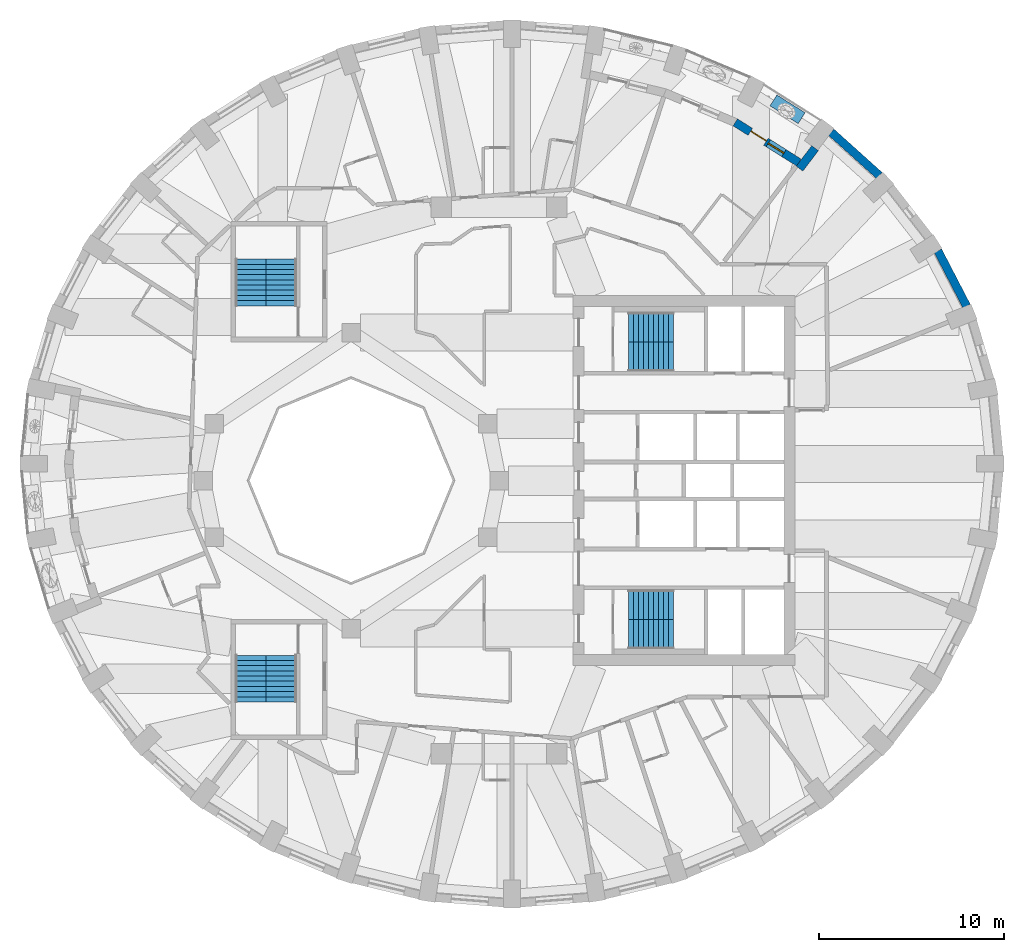
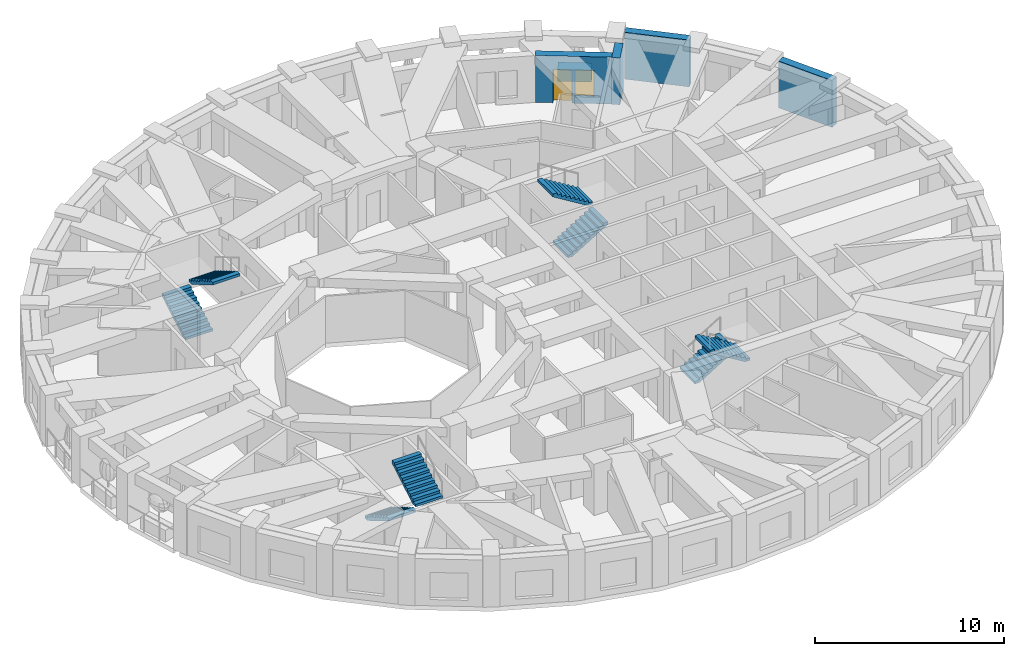
# One storey, part 9 of 12: 8 stair flights, 5 walls, 1 door, 1 window, 2 openings, 4 elements without a shape of their own.
"""IFC4 building model written with IfcOpenShell, lengths in metres."""

from ifc_helpers import new_model, si_unit, direction, frame, frame_2d, origin, place, context, subcontext, project, spatial, polyline, rectangle, outline, extrude, material, layer, layer_set, constituent, constituent_set, type_object, element, fill, aggregate, save


model = new_model("IFC4")

# Units and contexts
model_context = context("Model", 3, precision=1e-05, world=origin(), true_north=direction((0.0, 1.0)))
body_context = subcontext(model_context, "Body", "Model", "MODEL_VIEW")
ifc_project = project(units=[si_unit("LENGTHUNIT", "METRE"), si_unit("AREAUNIT", "SQUARE_METRE"), si_unit("VOLUMEUNIT", "CUBIC_METRE"), si_unit("PLANEANGLEUNIT", "RADIAN"), si_unit("MASSUNIT", "GRAM", prefix="KILO")], contexts=[model_context])

# Site, building, storey
site_placement = place(None, origin())
site = spatial("IfcSite", under=ifc_project, at=site_placement, CompositionType="ELEMENT")
building_placement = place(site_placement, origin())
building = spatial("IfcBuilding", under=site, at=building_placement, Name="Taillehof Tower", CompositionType="ELEMENT")
storey_placement = place(building_placement, frame((0.0, 0.0, 189.199951171875)))
storey = spatial("IfcBuildingStorey", under=building, at=storey_placement, Name="L53", CompositionType="ELEMENT", Elevation=189.199951171875)

# Walls
ifc_material_1 = material(Name="Brick masonry", Category="masonry")
ifc_layer = layer(ifc_material_1, 0.449951171875)
ifc_layer_set = layer_set([ifc_layer], Name="Brick infill wall 450")
wall_type_1 = type_object("IfcWallType", Name="Brick infill wall 450", PredefinedType="SOLIDWALL", material=ifc_layer_set)
wall_1_placement = place(storey_placement, frame((25.278076171875, 9.431640625, 0.0), z_axis=(0.0, 0.0, 1.0), x_axis=(-0.460175500475, 0.887827972505, 0.0)))
element("IfcWall", 1, at=wall_1_placement, inside=storey, type_object=wall_type_1, Name="Brick wall L53 bay 3", PredefinedType="SOLIDWALL", context=body_context, shape_type="SweptSolid", body=[
    extrude(rectangle(XDim=3.37060546875, YDim=0.449951171875, at=frame_2d((1.685302734375, 0.0))), origin(), (0.0, 0.0, 1.0), 3.02001953125),
])
wall_2_placement = place(storey_placement, frame((20.56494140625, 16.490478515625, 0.0), z_axis=(0.0, 0.0, 1.0), x_axis=(-0.743442727602, 0.668799604348, 0.0)))
element("IfcWall", 2, at=wall_2_placement, inside=storey, type_object=wall_type_1, Name="Brick wall L53 bay 5", PredefinedType="SOLIDWALL", context=body_context, shape_type="SweptSolid", body=[
    extrude(rectangle(XDim=3.5126953125, YDim=0.449951171875, at=frame_2d((1.75634765625, 0.0))), origin(), (0.0, 0.0, 1.0), 3.02001953125),
])
wall_3_placement = place(storey_placement, frame((17.084716796875, 17.969970703125, 0.0), z_axis=(0.0, 0.0, 1.0), x_axis=(-0.603644757989, -0.797253414011, 0.0)))
element("IfcWall", 3, at=wall_3_placement, inside=storey, type_object=wall_type_1, Name="Brick reveal L53 pocket 1", PredefinedType="SOLIDWALL", context=body_context, shape_type="SweptSolid", body=[
    extrude(rectangle(XDim=1.390869140625, YDim=0.449951171875, at=frame_2d((0.6953125, 0.0))), origin(), (0.0, 0.0, 1.0), 3.02001953125),
])

# Wall, openings, door, window
wall_4_placement = place(storey_placement, frame((16.213134765625, 17.191650390625, 0.0), z_axis=(0.0, 0.0, 1.0), x_axis=(-0.84545185308, 0.534051649303, 0.0)))
wall_4 = element("IfcWall", 4, at=wall_4_placement, inside=storey, type_object=wall_type_1, Name="Brick wall L53 pocket bay 6", PredefinedType="SOLIDWALL", context=body_context, shape_type="SweptSolid", body=[
    extrude(rectangle(XDim=4.0712890625, YDim=0.449951171875, at=frame_2d((2.03564453125, 0.0))), origin(), (0.0, 0.0, 1.0), 3.02001953125),
])
opening_1_placement = place(wall_4_placement, frame((0.960693359375, 0.0, 0.39990234375)))
opening_1 = element("IfcOpeningElement", 5, at=opening_1_placement, cuts=wall_4, Name="Opening W5", PredefinedType="OPENING", context=body_context, shape_type="SweptSolid", body=[
    extrude(rectangle(XDim=1.0, YDim=1.75, at=frame_2d((0.5, 0.875))), frame((0.0, 0.23486328125, 0.0), z_axis=(0.0, -1.0, 0.0), x_axis=(1.0, 0.0, 0.0)), (0.0, 0.0, 1.0), 0.469970703125),
])
opening_2_placement = place(wall_4_placement, frame((2.110595703125, 0.0, 0.0)))
opening_2 = element("IfcOpeningElement", 6, at=opening_2_placement, cuts=wall_4, Name="Opening D5391", PredefinedType="OPENING", context=body_context, shape_type="SweptSolid", body=[
    extrude(rectangle(XDim=1.0, YDim=2.14990234375, at=frame_2d((0.5, 1.074951171875))), frame((0.0, 0.23486328125, 0.0), z_axis=(0.0, -1.0, 0.0), x_axis=(1.0, 0.0, 0.0)), (0.0, 0.0, 1.0), 0.469970703125),
])
ifc_material_2 = material(Name="Aluminium door frame with clear double glazing", Category="aluminium")
door_type = type_object("IfcDoorType", Name="Balcony door 1000x2150", OperationType="SINGLE_SWING_RIGHT", PredefinedType="DOOR", material=ifc_material_2)
door_placement = place(opening_2_placement, frame((1.0, 0.0, 0.0), z_axis=(0.0, 0.0, 1.0), x_axis=(-1.0, 0.0, 0.0)))
door = element("IfcDoor", 7, at=door_placement, inside=storey, type_object=door_type, Name="Balcony door L53 bay 6", OperationType="SINGLE_SWING_RIGHT", OverallHeight=2.14990234375, OverallWidth=1.0, PredefinedType="DOOR", context=body_context, shape_type="SweptSolid", body=[
    extrude(rectangle(XDim=1.0, YDim=2.14990234375, at=frame_2d((0.5, 1.074951171875))), frame((0.0, 0.0751953125, 0.0), z_axis=(0.0, -1.0, 0.0), x_axis=(1.0, 0.0, 0.0)), (0.0, 0.0, 1.0), 0.050048828125),
])
fill(opening_2, door)
ifc_material_3 = material(Name="Aluminium window frame with clear double glazing", Category="aluminium")
window_type = type_object("IfcWindowType", Name="Fixed window 1000x1750", PartitioningType="SINGLE_PANEL", PredefinedType="WINDOW", material=ifc_material_3)
window_placement = place(opening_1_placement, origin())
window = element("IfcWindow", 8, at=window_placement, inside=storey, type_object=window_type, Name="W5", OverallHeight=1.75, OverallWidth=1.0, PartitioningType="SINGLE_PANEL", PredefinedType="WINDOW", context=body_context, shape_type="SweptSolid", body=[
    extrude(rectangle(XDim=1.0, YDim=1.75, at=frame_2d((0.5, 0.875))), frame((0.0, 0.034912109375, 0.0), z_axis=(0.0, -1.0, 0.0), x_axis=(1.0, 0.0, 0.0)), (0.0, 0.0, 1.0), 0.06005859375),
])
fill(opening_1, window)

# Wall
ifc_material_4 = material(Name="Concrete C30/37 precast", Category="concrete")
ifc_constituent_1 = constituent(ifc_material_4, Name="Structure", Category="concrete")
ifc_material_5 = material(Name="Insulated lining")
ifc_constituent_2 = constituent(ifc_material_5, Name="Lining")
ifc_constituent_set = constituent_set(constituents=[ifc_constituent_1, ifc_constituent_2], Name="Planter trough 700x750")
wall_type_2 = type_object("IfcWallType", Name="Planter trough 700x750", PredefinedType="USERDEFINED", material=ifc_constituent_set)
wall_5_placement = place(storey_placement, frame((16.359619140625, 19.59326171875, 0.0), z_axis=(0.0, 0.0, 1.0), x_axis=(-0.846149017978, 0.532946375703, 0.0)))
element("IfcWall", 9, at=wall_5_placement, inside=storey, type_object=wall_type_2, Name="Planter L53 bay 6", ObjectType="PLANTER", PredefinedType="USERDEFINED", context=body_context, shape_type="SweptSolid", body=[
    extrude(rectangle(XDim=1.7998046875, YDim=0.699951171875, at=frame_2d((0.89990234375, 0.0))), origin(), (0.0, 0.0, 1.0), 0.75),
])

# Stair, stair flights
ifc_material_6 = material(Name="Concrete C40/50", Category="concrete")
stair_type = type_object("IfcStairType", Name="Exit stair half-turn", PredefinedType="HALF_TURN_STAIR", material=ifc_material_6)
stair_1_placement = place(storey_placement, origin())
stair_1 = element("IfcStair", 10, at=stair_1_placement, inside=storey, type_object=stair_type, Name="Exit stair S1", PredefinedType="HALF_TURN_STAIR")
ifc_material_7 = material(Name="Concrete C40/50", Category="concrete")
stair_flight_type_1 = type_object("IfcStairFlightType", Name="Stair flight 1600 riser 165.0 going 270", PredefinedType="STRAIGHT", material=ifc_material_7)
stair_flight_1_placement = place(storey_placement, frame((7.0, 6.699951171875, 0.0), z_axis=(0.0, 0.0, 1.0), x_axis=(1.0, 0.0, 0.0)))
stair_flight_1 = element("IfcStairFlight", 11, at=stair_flight_1_placement, type_object=stair_flight_type_1, Name="S1 flight 1", NumberOfRisers=10, NumberOfTreads=9, PredefinedType="STRAIGHT", RiserHeight=0.165, TreadLength=0.27, context=body_context, shape_type="SweptSolid", body=[
    extrude(outline(polyline([(0.0, 0.0), (0.0, 0.00537109375), (0.0, 0.0107421875), (0.0, 0.015869140625), (0.0, 0.021240234375), (0.0, 0.026611328125), (0.0, 0.031982421875), (0.0, 0.037353515625), (0.0, 0.04248046875), (0.0, 0.0478515625), (0.0, 0.05322265625), (0.0, 0.05859375), (0.0, 0.06396484375), (0.0, 0.069091796875), (0.0, 0.074462890625), (0.0, 0.079833984375), (0.0, 0.085205078125), (0.0, 0.090576171875), (0.0, 0.095703125), (0.0, 0.10107421875), (0.0, 0.1064453125), (0.0, 0.11181640625), (0.0, 0.1171875), (0.0, 0.122314453125), (0.0, 0.127685546875), (0.0, 0.133056640625), (0.0, 0.138427734375), (0.0, 0.143798828125), (0.0, 0.14892578125), (0.0, 0.154296875), (0.0, 0.15966796875), (0.0, 0.1650390625), (0.27001953125, 0.1650390625), (0.27001953125, 0.330078125), (0.5400390625, 0.330078125), (0.5400390625, 0.4951171875), (0.81005859375, 0.4951171875), (0.81005859375, 0.659912109375), (1.080078125, 0.659912109375), (1.080078125, 0.824951171875), (1.35009765625, 0.824951171875), (1.35009765625, 0.989990234375), (1.6201171875, 0.989990234375), (1.6201171875, 1.155029296875), (1.889892578125, 1.155029296875), (1.889892578125, 1.320068359375), (2.159912109375, 1.320068359375), (2.159912109375, 1.485107421875), (2.429931640625, 1.485107421875), (2.429931640625, 1.479248046875), (2.429931640625, 1.4736328125), (2.429931640625, 1.468017578125), (2.429931640625, 1.46240234375), (2.429931640625, 1.45654296875), (2.429931640625, 1.450927734375), (2.429931640625, 1.4453125), (2.429931640625, 1.439697265625), (2.429931640625, 1.43408203125), (2.429931640625, 1.42822265625), (2.429931640625, 1.422607421875), (2.429931640625, 1.4169921875), (2.429931640625, 1.411376953125), (2.429931640625, 1.40576171875), (2.429931640625, 1.39990234375), (2.429931640625, 1.394287109375), (2.429931640625, 1.388671875), (2.429931640625, 1.383056640625), (2.429931640625, 1.37744140625), (2.429931640625, 1.37158203125), (2.429931640625, 1.365966796875), (2.429931640625, 1.3603515625), (2.429931640625, 1.354736328125), (2.429931640625, 1.348876953125), (2.429931640625, 1.34326171875), (2.429931640625, 1.337646484375), (2.429931640625, 1.33203125), (2.429931640625, 1.326416015625), (2.429931640625, 1.320556640625), (2.429931640625, 1.31494140625), (2.429931640625, 1.309326171875), (0.287353515625, 0.0), (0.0, 0.0)])), frame((0.0, 0.800048828125, 0.0), z_axis=(0.0, -1.0, 0.0), x_axis=(1.0, 0.0, 0.0)), (0.0, 0.0, 1.0), 1.6),
])
stair_flight_2_placement = place(storey_placement, frame((9.429931640625, 8.300048828125, 1.650146484375), z_axis=(0.0, 0.0, 1.0), x_axis=(-1.0, 0.0, 0.0)))
stair_flight_2 = element("IfcStairFlight", 12, at=stair_flight_2_placement, type_object=stair_flight_type_1, Name="S1 flight 2", NumberOfRisers=10, NumberOfTreads=9, PredefinedType="STRAIGHT", RiserHeight=0.165, TreadLength=0.27, context=body_context, shape_type="SweptSolid", body=[
    extrude(outline(polyline([(0.0, 0.0), (0.0, 0.00537109375), (0.0, 0.0107421875), (0.0, 0.015869140625), (0.0, 0.021240234375), (0.0, 0.026611328125), (0.0, 0.031982421875), (0.0, 0.037353515625), (0.0, 0.04248046875), (0.0, 0.0478515625), (0.0, 0.05322265625), (0.0, 0.05859375), (0.0, 0.06396484375), (0.0, 0.069091796875), (0.0, 0.074462890625), (0.0, 0.079833984375), (0.0, 0.085205078125), (0.0, 0.090576171875), (0.0, 0.095703125), (0.0, 0.10107421875), (0.0, 0.1064453125), (0.0, 0.11181640625), (0.0, 0.1171875), (0.0, 0.122314453125), (0.0, 0.127685546875), (0.0, 0.133056640625), (0.0, 0.138427734375), (0.0, 0.143798828125), (0.0, 0.14892578125), (0.0, 0.154296875), (0.0, 0.15966796875), (0.0, 0.1650390625), (0.27001953125, 0.1650390625), (0.27001953125, 0.330078125), (0.5400390625, 0.330078125), (0.5400390625, 0.4951171875), (0.81005859375, 0.4951171875), (0.81005859375, 0.659912109375), (1.080078125, 0.659912109375), (1.080078125, 0.824951171875), (1.35009765625, 0.824951171875), (1.35009765625, 0.989990234375), (1.6201171875, 0.989990234375), (1.6201171875, 1.155029296875), (1.889892578125, 1.155029296875), (1.889892578125, 1.320068359375), (2.159912109375, 1.320068359375), (2.159912109375, 1.485107421875), (2.429931640625, 1.485107421875), (2.429931640625, 1.479248046875), (2.429931640625, 1.4736328125), (2.429931640625, 1.468017578125), (2.429931640625, 1.46240234375), (2.429931640625, 1.45654296875), (2.429931640625, 1.450927734375), (2.429931640625, 1.4453125), (2.429931640625, 1.439697265625), (2.429931640625, 1.43408203125), (2.429931640625, 1.42822265625), (2.429931640625, 1.422607421875), (2.429931640625, 1.4169921875), (2.429931640625, 1.411376953125), (2.429931640625, 1.40576171875), (2.429931640625, 1.39990234375), (2.429931640625, 1.394287109375), (2.429931640625, 1.388671875), (2.429931640625, 1.383056640625), (2.429931640625, 1.37744140625), (2.429931640625, 1.37158203125), (2.429931640625, 1.365966796875), (2.429931640625, 1.3603515625), (2.429931640625, 1.354736328125), (2.429931640625, 1.348876953125), (2.429931640625, 1.34326171875), (2.429931640625, 1.337646484375), (2.429931640625, 1.33203125), (2.429931640625, 1.326416015625), (2.429931640625, 1.320556640625), (2.429931640625, 1.31494140625), (2.429931640625, 1.309326171875), (0.287353515625, 0.0), (0.0, 0.0)])), frame((0.0, 0.800048828125, 0.0), z_axis=(0.0, -1.0, 0.0), x_axis=(1.0, 0.0, 0.0)), (0.0, 0.0, 1.0), 1.6),
])
aggregate(stair_1, [stair_flight_1, stair_flight_2])

stair_2_placement = place(storey_placement, origin())
stair_2 = element("IfcStair", 13, at=stair_2_placement, inside=storey, type_object=stair_type, Name="Exit stair S2", PredefinedType="HALF_TURN_STAIR")
stair_flight_3_placement = place(storey_placement, frame((7.0, -6.699951171875, 0.0), z_axis=(0.0, 0.0, 1.0), x_axis=(1.0, 0.0, 0.0)))
stair_flight_3 = element("IfcStairFlight", 14, at=stair_flight_3_placement, type_object=stair_flight_type_1, Name="S2 flight 1", NumberOfRisers=10, NumberOfTreads=9, PredefinedType="STRAIGHT", RiserHeight=0.165, TreadLength=0.27, context=body_context, shape_type="SweptSolid", body=[
    extrude(outline(polyline([(0.0, 0.0), (0.0, 0.00537109375), (0.0, 0.0107421875), (0.0, 0.015869140625), (0.0, 0.021240234375), (0.0, 0.026611328125), (0.0, 0.031982421875), (0.0, 0.037353515625), (0.0, 0.04248046875), (0.0, 0.0478515625), (0.0, 0.05322265625), (0.0, 0.05859375), (0.0, 0.06396484375), (0.0, 0.069091796875), (0.0, 0.074462890625), (0.0, 0.079833984375), (0.0, 0.085205078125), (0.0, 0.090576171875), (0.0, 0.095703125), (0.0, 0.10107421875), (0.0, 0.1064453125), (0.0, 0.11181640625), (0.0, 0.1171875), (0.0, 0.122314453125), (0.0, 0.127685546875), (0.0, 0.133056640625), (0.0, 0.138427734375), (0.0, 0.143798828125), (0.0, 0.14892578125), (0.0, 0.154296875), (0.0, 0.15966796875), (0.0, 0.1650390625), (0.27001953125, 0.1650390625), (0.27001953125, 0.330078125), (0.5400390625, 0.330078125), (0.5400390625, 0.4951171875), (0.81005859375, 0.4951171875), (0.81005859375, 0.659912109375), (1.080078125, 0.659912109375), (1.080078125, 0.824951171875), (1.35009765625, 0.824951171875), (1.35009765625, 0.989990234375), (1.6201171875, 0.989990234375), (1.6201171875, 1.155029296875), (1.889892578125, 1.155029296875), (1.889892578125, 1.320068359375), (2.159912109375, 1.320068359375), (2.159912109375, 1.485107421875), (2.429931640625, 1.485107421875), (2.429931640625, 1.479248046875), (2.429931640625, 1.4736328125), (2.429931640625, 1.468017578125), (2.429931640625, 1.46240234375), (2.429931640625, 1.45654296875), (2.429931640625, 1.450927734375), (2.429931640625, 1.4453125), (2.429931640625, 1.439697265625), (2.429931640625, 1.43408203125), (2.429931640625, 1.42822265625), (2.429931640625, 1.422607421875), (2.429931640625, 1.4169921875), (2.429931640625, 1.411376953125), (2.429931640625, 1.40576171875), (2.429931640625, 1.39990234375), (2.429931640625, 1.394287109375), (2.429931640625, 1.388671875), (2.429931640625, 1.383056640625), (2.429931640625, 1.37744140625), (2.429931640625, 1.37158203125), (2.429931640625, 1.365966796875), (2.429931640625, 1.3603515625), (2.429931640625, 1.354736328125), (2.429931640625, 1.348876953125), (2.429931640625, 1.34326171875), (2.429931640625, 1.337646484375), (2.429931640625, 1.33203125), (2.429931640625, 1.326416015625), (2.429931640625, 1.320556640625), (2.429931640625, 1.31494140625), (2.429931640625, 1.309326171875), (0.287353515625, 0.0), (0.0, 0.0)])), frame((0.0, 0.800048828125, 0.0), z_axis=(0.0, -1.0, 0.0), x_axis=(1.0, 0.0, 0.0)), (0.0, 0.0, 1.0), 1.6),
])
stair_flight_4_placement = place(storey_placement, frame((9.429931640625, -8.300048828125, 1.650146484375), z_axis=(0.0, 0.0, 1.0), x_axis=(-1.0, 0.0, 0.0)))
stair_flight_4 = element("IfcStairFlight", 15, at=stair_flight_4_placement, type_object=stair_flight_type_1, Name="S2 flight 2", NumberOfRisers=10, NumberOfTreads=9, PredefinedType="STRAIGHT", RiserHeight=0.165, TreadLength=0.27, context=body_context, shape_type="SweptSolid", body=[
    extrude(outline(polyline([(0.0, 0.0), (0.0, 0.00537109375), (0.0, 0.0107421875), (0.0, 0.015869140625), (0.0, 0.021240234375), (0.0, 0.026611328125), (0.0, 0.031982421875), (0.0, 0.037353515625), (0.0, 0.04248046875), (0.0, 0.0478515625), (0.0, 0.05322265625), (0.0, 0.05859375), (0.0, 0.06396484375), (0.0, 0.069091796875), (0.0, 0.074462890625), (0.0, 0.079833984375), (0.0, 0.085205078125), (0.0, 0.090576171875), (0.0, 0.095703125), (0.0, 0.10107421875), (0.0, 0.1064453125), (0.0, 0.11181640625), (0.0, 0.1171875), (0.0, 0.122314453125), (0.0, 0.127685546875), (0.0, 0.133056640625), (0.0, 0.138427734375), (0.0, 0.143798828125), (0.0, 0.14892578125), (0.0, 0.154296875), (0.0, 0.15966796875), (0.0, 0.1650390625), (0.27001953125, 0.1650390625), (0.27001953125, 0.330078125), (0.5400390625, 0.330078125), (0.5400390625, 0.4951171875), (0.81005859375, 0.4951171875), (0.81005859375, 0.659912109375), (1.080078125, 0.659912109375), (1.080078125, 0.824951171875), (1.35009765625, 0.824951171875), (1.35009765625, 0.989990234375), (1.6201171875, 0.989990234375), (1.6201171875, 1.155029296875), (1.889892578125, 1.155029296875), (1.889892578125, 1.320068359375), (2.159912109375, 1.320068359375), (2.159912109375, 1.485107421875), (2.429931640625, 1.485107421875), (2.429931640625, 1.479248046875), (2.429931640625, 1.4736328125), (2.429931640625, 1.468017578125), (2.429931640625, 1.46240234375), (2.429931640625, 1.45654296875), (2.429931640625, 1.450927734375), (2.429931640625, 1.4453125), (2.429931640625, 1.439697265625), (2.429931640625, 1.43408203125), (2.429931640625, 1.42822265625), (2.429931640625, 1.422607421875), (2.429931640625, 1.4169921875), (2.429931640625, 1.411376953125), (2.429931640625, 1.40576171875), (2.429931640625, 1.39990234375), (2.429931640625, 1.394287109375), (2.429931640625, 1.388671875), (2.429931640625, 1.383056640625), (2.429931640625, 1.37744140625), (2.429931640625, 1.37158203125), (2.429931640625, 1.365966796875), (2.429931640625, 1.3603515625), (2.429931640625, 1.354736328125), (2.429931640625, 1.348876953125), (2.429931640625, 1.34326171875), (2.429931640625, 1.337646484375), (2.429931640625, 1.33203125), (2.429931640625, 1.326416015625), (2.429931640625, 1.320556640625), (2.429931640625, 1.31494140625), (2.429931640625, 1.309326171875), (0.287353515625, 0.0), (0.0, 0.0)])), frame((0.0, 0.800048828125, 0.0), z_axis=(0.0, -1.0, 0.0), x_axis=(1.0, 0.0, 0.0)), (0.0, 0.0, 1.0), 1.6),
])
aggregate(stair_2, [stair_flight_3, stair_flight_4])

stair_3_placement = place(storey_placement, origin())
stair_3 = element("IfcStair", 16, at=stair_3_placement, inside=storey, type_object=stair_type, Name="Exit stair S3", PredefinedType="HALF_TURN_STAIR")
ifc_material_8 = material(Name="Concrete C40/50", Category="concrete")
stair_flight_type_2 = type_object("IfcStairFlightType", Name="Stair flight 1650 riser 165.0 going 280", PredefinedType="STRAIGHT", material=ifc_material_8)
stair_flight_5_placement = place(storey_placement, frame((-13.425048828125, 9.449951171875, 0.0), z_axis=(0.0, 0.0, 1.0), x_axis=(0.0, 1.0, 0.0)))
stair_flight_5 = element("IfcStairFlight", 17, at=stair_flight_5_placement, type_object=stair_flight_type_2, Name="S3 flight 1", NumberOfRisers=10, NumberOfTreads=9, PredefinedType="STRAIGHT", RiserHeight=0.165, TreadLength=0.28, context=body_context, shape_type="SweptSolid", body=[
    extrude(outline(polyline([(0.0, 0.0), (0.0, 0.00537109375), (0.0, 0.0107421875), (0.0, 0.015869140625), (0.0, 0.021240234375), (0.0, 0.026611328125), (0.0, 0.031982421875), (0.0, 0.037353515625), (0.0, 0.04248046875), (0.0, 0.0478515625), (0.0, 0.05322265625), (0.0, 0.05859375), (0.0, 0.06396484375), (0.0, 0.069091796875), (0.0, 0.074462890625), (0.0, 0.079833984375), (0.0, 0.085205078125), (0.0, 0.090576171875), (0.0, 0.095703125), (0.0, 0.10107421875), (0.0, 0.1064453125), (0.0, 0.11181640625), (0.0, 0.1171875), (0.0, 0.122314453125), (0.0, 0.127685546875), (0.0, 0.133056640625), (0.0, 0.138427734375), (0.0, 0.143798828125), (0.0, 0.14892578125), (0.0, 0.154296875), (0.0, 0.15966796875), (0.0, 0.1650390625), (0.280029296875, 0.1650390625), (0.280029296875, 0.330078125), (0.56005859375, 0.330078125), (0.56005859375, 0.4951171875), (0.840087890625, 0.4951171875), (0.840087890625, 0.659912109375), (1.1201171875, 0.659912109375), (1.1201171875, 0.824951171875), (1.39990234375, 0.824951171875), (1.39990234375, 0.989990234375), (1.679931640625, 0.989990234375), (1.679931640625, 1.155029296875), (1.9599609375, 1.155029296875), (1.9599609375, 1.320068359375), (2.239990234375, 1.320068359375), (2.239990234375, 1.485107421875), (2.52001953125, 1.485107421875), (2.52001953125, 1.4794921875), (2.52001953125, 1.473876953125), (2.52001953125, 1.46826171875), (2.52001953125, 1.462646484375), (2.52001953125, 1.45703125), (2.52001953125, 1.451416015625), (2.52001953125, 1.44580078125), (2.52001953125, 1.440185546875), (2.52001953125, 1.4345703125), (2.52001953125, 1.428955078125), (2.52001953125, 1.42333984375), (2.52001953125, 1.417724609375), (2.52001953125, 1.412109375), (2.52001953125, 1.406494140625), (2.52001953125, 1.40087890625), (2.52001953125, 1.395263671875), (2.52001953125, 1.3896484375), (2.52001953125, 1.384033203125), (2.52001953125, 1.37841796875), (2.52001953125, 1.372802734375), (2.52001953125, 1.3671875), (2.52001953125, 1.361572265625), (2.52001953125, 1.35595703125), (2.52001953125, 1.350341796875), (2.52001953125, 1.3447265625), (2.52001953125, 1.339111328125), (2.52001953125, 1.33349609375), (2.52001953125, 1.327880859375), (2.52001953125, 1.322265625), (2.52001953125, 1.316650390625), (2.52001953125, 1.31103515625), (0.295166015625, 0.0), (0.0, 0.0)])), frame((0.0, 0.824951171875, 0.0), z_axis=(0.0, -1.0, 0.0), x_axis=(1.0, 0.0, 0.0)), (0.0, 0.0, 1.0), 1.65),
])
stair_flight_6_placement = place(storey_placement, frame((-11.77490234375, 11.969970703125, 1.650146484375), z_axis=(0.0, 0.0, 1.0), x_axis=(0.0, -1.0, 0.0)))
stair_flight_6 = element("IfcStairFlight", 18, at=stair_flight_6_placement, type_object=stair_flight_type_2, Name="S3 flight 2", NumberOfRisers=10, NumberOfTreads=9, PredefinedType="STRAIGHT", RiserHeight=0.165, TreadLength=0.28, context=body_context, shape_type="SweptSolid", body=[
    extrude(outline(polyline([(0.0, 0.0), (0.0, 0.00537109375), (0.0, 0.0107421875), (0.0, 0.015869140625), (0.0, 0.021240234375), (0.0, 0.026611328125), (0.0, 0.031982421875), (0.0, 0.037353515625), (0.0, 0.04248046875), (0.0, 0.0478515625), (0.0, 0.05322265625), (0.0, 0.05859375), (0.0, 0.06396484375), (0.0, 0.069091796875), (0.0, 0.074462890625), (0.0, 0.079833984375), (0.0, 0.085205078125), (0.0, 0.090576171875), (0.0, 0.095703125), (0.0, 0.10107421875), (0.0, 0.1064453125), (0.0, 0.11181640625), (0.0, 0.1171875), (0.0, 0.122314453125), (0.0, 0.127685546875), (0.0, 0.133056640625), (0.0, 0.138427734375), (0.0, 0.143798828125), (0.0, 0.14892578125), (0.0, 0.154296875), (0.0, 0.15966796875), (0.0, 0.1650390625), (0.280029296875, 0.1650390625), (0.280029296875, 0.330078125), (0.56005859375, 0.330078125), (0.56005859375, 0.4951171875), (0.840087890625, 0.4951171875), (0.840087890625, 0.659912109375), (1.1201171875, 0.659912109375), (1.1201171875, 0.824951171875), (1.39990234375, 0.824951171875), (1.39990234375, 0.989990234375), (1.679931640625, 0.989990234375), (1.679931640625, 1.155029296875), (1.9599609375, 1.155029296875), (1.9599609375, 1.320068359375), (2.239990234375, 1.320068359375), (2.239990234375, 1.485107421875), (2.52001953125, 1.485107421875), (2.52001953125, 1.4794921875), (2.52001953125, 1.473876953125), (2.52001953125, 1.46826171875), (2.52001953125, 1.462646484375), (2.52001953125, 1.45703125), (2.52001953125, 1.451416015625), (2.52001953125, 1.44580078125), (2.52001953125, 1.440185546875), (2.52001953125, 1.4345703125), (2.52001953125, 1.428955078125), (2.52001953125, 1.42333984375), (2.52001953125, 1.417724609375), (2.52001953125, 1.412109375), (2.52001953125, 1.406494140625), (2.52001953125, 1.40087890625), (2.52001953125, 1.395263671875), (2.52001953125, 1.3896484375), (2.52001953125, 1.384033203125), (2.52001953125, 1.37841796875), (2.52001953125, 1.372802734375), (2.52001953125, 1.3671875), (2.52001953125, 1.361572265625), (2.52001953125, 1.35595703125), (2.52001953125, 1.350341796875), (2.52001953125, 1.3447265625), (2.52001953125, 1.339111328125), (2.52001953125, 1.33349609375), (2.52001953125, 1.327880859375), (2.52001953125, 1.322265625), (2.52001953125, 1.316650390625), (2.52001953125, 1.31103515625), (0.295166015625, 0.0), (0.0, 0.0)])), frame((0.0, 0.824951171875, 0.0), z_axis=(0.0, -1.0, 0.0), x_axis=(1.0, 0.0, 0.0)), (0.0, 0.0, 1.0), 1.65),
])
aggregate(stair_3, [stair_flight_5, stair_flight_6])

stair_4_placement = place(storey_placement, origin())
stair_4 = element("IfcStair", 19, at=stair_4_placement, inside=storey, type_object=stair_type, Name="Exit stair S4", PredefinedType="HALF_TURN_STAIR")
stair_flight_7_placement = place(storey_placement, frame((-13.425048828125, -9.449951171875, 0.0), z_axis=(0.0, 0.0, 1.0), x_axis=(0.0, -1.0, 0.0)))
stair_flight_7 = element("IfcStairFlight", 20, at=stair_flight_7_placement, type_object=stair_flight_type_2, Name="S4 flight 1", NumberOfRisers=10, NumberOfTreads=9, PredefinedType="STRAIGHT", RiserHeight=0.165, TreadLength=0.28, context=body_context, shape_type="SweptSolid", body=[
    extrude(outline(polyline([(0.0, 0.0), (0.0, 0.00537109375), (0.0, 0.0107421875), (0.0, 0.015869140625), (0.0, 0.021240234375), (0.0, 0.026611328125), (0.0, 0.031982421875), (0.0, 0.037353515625), (0.0, 0.04248046875), (0.0, 0.0478515625), (0.0, 0.05322265625), (0.0, 0.05859375), (0.0, 0.06396484375), (0.0, 0.069091796875), (0.0, 0.074462890625), (0.0, 0.079833984375), (0.0, 0.085205078125), (0.0, 0.090576171875), (0.0, 0.095703125), (0.0, 0.10107421875), (0.0, 0.1064453125), (0.0, 0.11181640625), (0.0, 0.1171875), (0.0, 0.122314453125), (0.0, 0.127685546875), (0.0, 0.133056640625), (0.0, 0.138427734375), (0.0, 0.143798828125), (0.0, 0.14892578125), (0.0, 0.154296875), (0.0, 0.15966796875), (0.0, 0.1650390625), (0.280029296875, 0.1650390625), (0.280029296875, 0.330078125), (0.56005859375, 0.330078125), (0.56005859375, 0.4951171875), (0.840087890625, 0.4951171875), (0.840087890625, 0.659912109375), (1.1201171875, 0.659912109375), (1.1201171875, 0.824951171875), (1.39990234375, 0.824951171875), (1.39990234375, 0.989990234375), (1.679931640625, 0.989990234375), (1.679931640625, 1.155029296875), (1.9599609375, 1.155029296875), (1.9599609375, 1.320068359375), (2.239990234375, 1.320068359375), (2.239990234375, 1.485107421875), (2.52001953125, 1.485107421875), (2.52001953125, 1.4794921875), (2.52001953125, 1.473876953125), (2.52001953125, 1.46826171875), (2.52001953125, 1.462646484375), (2.52001953125, 1.45703125), (2.52001953125, 1.451416015625), (2.52001953125, 1.44580078125), (2.52001953125, 1.440185546875), (2.52001953125, 1.4345703125), (2.52001953125, 1.428955078125), (2.52001953125, 1.42333984375), (2.52001953125, 1.417724609375), (2.52001953125, 1.412109375), (2.52001953125, 1.406494140625), (2.52001953125, 1.40087890625), (2.52001953125, 1.395263671875), (2.52001953125, 1.3896484375), (2.52001953125, 1.384033203125), (2.52001953125, 1.37841796875), (2.52001953125, 1.372802734375), (2.52001953125, 1.3671875), (2.52001953125, 1.361572265625), (2.52001953125, 1.35595703125), (2.52001953125, 1.350341796875), (2.52001953125, 1.3447265625), (2.52001953125, 1.339111328125), (2.52001953125, 1.33349609375), (2.52001953125, 1.327880859375), (2.52001953125, 1.322265625), (2.52001953125, 1.316650390625), (2.52001953125, 1.31103515625), (0.295166015625, 0.0), (0.0, 0.0)])), frame((0.0, 0.824951171875, 0.0), z_axis=(0.0, -1.0, 0.0), x_axis=(1.0, 0.0, 0.0)), (0.0, 0.0, 1.0), 1.65),
])
stair_flight_8_placement = place(storey_placement, frame((-11.77490234375, -11.969970703125, 1.650146484375), z_axis=(0.0, 0.0, 1.0), x_axis=(0.0, 1.0, 0.0)))
stair_flight_8 = element("IfcStairFlight", 21, at=stair_flight_8_placement, type_object=stair_flight_type_2, Name="S4 flight 2", NumberOfRisers=10, NumberOfTreads=9, PredefinedType="STRAIGHT", RiserHeight=0.165, TreadLength=0.28, context=body_context, shape_type="SweptSolid", body=[
    extrude(outline(polyline([(0.0, 0.0), (0.0, 0.00537109375), (0.0, 0.0107421875), (0.0, 0.015869140625), (0.0, 0.021240234375), (0.0, 0.026611328125), (0.0, 0.031982421875), (0.0, 0.037353515625), (0.0, 0.04248046875), (0.0, 0.0478515625), (0.0, 0.05322265625), (0.0, 0.05859375), (0.0, 0.06396484375), (0.0, 0.069091796875), (0.0, 0.074462890625), (0.0, 0.079833984375), (0.0, 0.085205078125), (0.0, 0.090576171875), (0.0, 0.095703125), (0.0, 0.10107421875), (0.0, 0.1064453125), (0.0, 0.11181640625), (0.0, 0.1171875), (0.0, 0.122314453125), (0.0, 0.127685546875), (0.0, 0.133056640625), (0.0, 0.138427734375), (0.0, 0.143798828125), (0.0, 0.14892578125), (0.0, 0.154296875), (0.0, 0.15966796875), (0.0, 0.1650390625), (0.280029296875, 0.1650390625), (0.280029296875, 0.330078125), (0.56005859375, 0.330078125), (0.56005859375, 0.4951171875), (0.840087890625, 0.4951171875), (0.840087890625, 0.659912109375), (1.1201171875, 0.659912109375), (1.1201171875, 0.824951171875), (1.39990234375, 0.824951171875), (1.39990234375, 0.989990234375), (1.679931640625, 0.989990234375), (1.679931640625, 1.155029296875), (1.9599609375, 1.155029296875), (1.9599609375, 1.320068359375), (2.239990234375, 1.320068359375), (2.239990234375, 1.485107421875), (2.52001953125, 1.485107421875), (2.52001953125, 1.4794921875), (2.52001953125, 1.473876953125), (2.52001953125, 1.46826171875), (2.52001953125, 1.462646484375), (2.52001953125, 1.45703125), (2.52001953125, 1.451416015625), (2.52001953125, 1.44580078125), (2.52001953125, 1.440185546875), (2.52001953125, 1.4345703125), (2.52001953125, 1.428955078125), (2.52001953125, 1.42333984375), (2.52001953125, 1.417724609375), (2.52001953125, 1.412109375), (2.52001953125, 1.406494140625), (2.52001953125, 1.40087890625), (2.52001953125, 1.395263671875), (2.52001953125, 1.3896484375), (2.52001953125, 1.384033203125), (2.52001953125, 1.37841796875), (2.52001953125, 1.372802734375), (2.52001953125, 1.3671875), (2.52001953125, 1.361572265625), (2.52001953125, 1.35595703125), (2.52001953125, 1.350341796875), (2.52001953125, 1.3447265625), (2.52001953125, 1.339111328125), (2.52001953125, 1.33349609375), (2.52001953125, 1.327880859375), (2.52001953125, 1.322265625), (2.52001953125, 1.316650390625), (2.52001953125, 1.31103515625), (0.295166015625, 0.0), (0.0, 0.0)])), frame((0.0, 0.824951171875, 0.0), z_axis=(0.0, -1.0, 0.0), x_axis=(1.0, 0.0, 0.0)), (0.0, 0.0, 1.0), 1.65),
])
aggregate(stair_4, [stair_flight_7, stair_flight_8])

save(model, "model.ifc")
